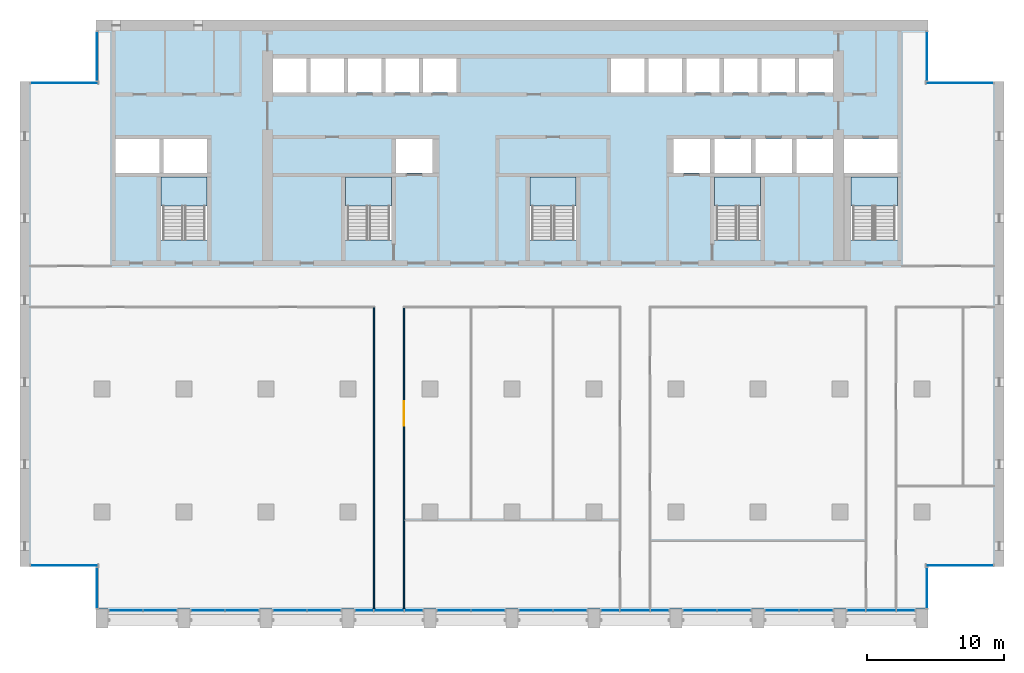
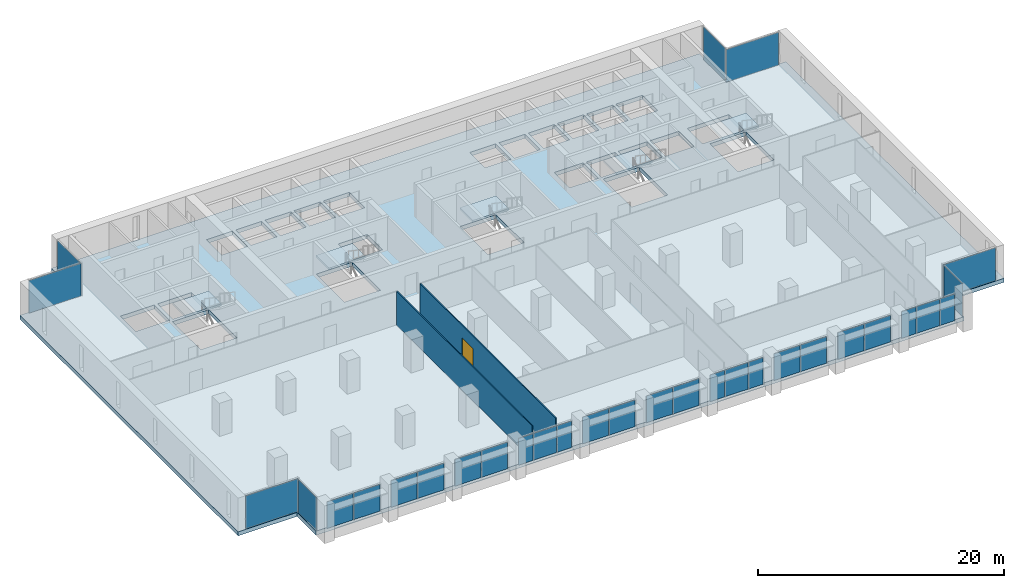
# One storey, part 7 of 15: 31 plates, 6 slabs, 2 walls, 1 door, 1 opening, 23 elements without a shape of their own.
"""IFC4 building model written with IfcOpenShell, lengths in metres."""

from ifc_helpers import new_model, si_unit, direction, frame, frame_2d, origin, origin_2d, place, context, subcontext, project, spatial, polyline, rectangle, outline, extrude, material, layer, layer_set, type_object, element, fill, aggregate, save


model = new_model("IFC4")

# Units and contexts
model_context = context("Model", 3, precision=1e-05, world=origin(), true_north=direction((0.0, 1.0)))
body_context = subcontext(model_context, "Body", "Model", "MODEL_VIEW")
ifc_project = project(units=[si_unit("LENGTHUNIT", "METRE"), si_unit("AREAUNIT", "SQUARE_METRE"), si_unit("VOLUMEUNIT", "CUBIC_METRE"), si_unit("PLANEANGLEUNIT", "RADIAN"), si_unit("MASSUNIT", "GRAM", prefix="KILO")], contexts=[model_context])

# Site, building, storey
site_placement = place(None, origin())
site = spatial("IfcSite", under=ifc_project, at=site_placement, CompositionType="ELEMENT")
building_placement = place(site_placement, origin())
building = spatial("IfcBuilding", under=site, at=building_placement, Name="Calvaro Tower", CompositionType="ELEMENT")
storey_placement = place(building_placement, frame((0.0, 0.0, 151.25)))
storey = spatial("IfcBuildingStorey", under=building, at=storey_placement, Name="L38", CompositionType="ELEMENT", Elevation=151.25)

# Slab
ifc_material_1 = material(Name="Concrete C40/50", Category="concrete")
ifc_layer_1 = layer(ifc_material_1, 0.39990234375)
ifc_layer_set_1 = layer_set([ifc_layer_1], Name="Concrete C40/50")
slab_type_1 = type_object("IfcSlabType", Name="Floor slab 400 C40/50", PredefinedType="FLOOR", material=ifc_layer_set_1)
slab_1_placement = place(storey_placement, frame((0.0, 0.0, -0.39990234375)))
element("IfcSlab", 1, at=slab_1_placement, inside=storey, type_object=slab_type_1, Name="Floor slab", PredefinedType="FLOOR", context=body_context, shape_type="SweptSolid", body=[
    extrude(outline(polyline([(66.449951171875, 6.0), (66.449951171875, 2.89990234375), (5.550048828125, 2.89990234375), (5.550048828125, 6.0), (0.0, 6.0), (0.0, 41.5), (5.550048828125, 41.5), (5.550048828125, 46.0), (66.449951171875, 46.0), (66.449951171875, 41.5), (72.0, 41.5), (72.0, 6.0), (66.449951171875, 6.0)]), holes=[polyline([(10.300048828125, 29.909912109375), (10.300048828125, 34.5), (12.0, 34.5), (13.699951171875, 34.5), (13.699951171875, 29.909912109375), (12.0, 29.909912109375), (10.300048828125, 29.909912109375)]), polyline([(23.800048828125, 29.909912109375), (23.800048828125, 34.5), (25.5, 34.5), (27.199951171875, 34.5), (27.199951171875, 29.909912109375), (25.5, 29.909912109375), (23.800048828125, 29.909912109375)]), polyline([(37.300048828125, 29.909912109375), (37.300048828125, 34.5), (39.0, 34.5), (40.699951171875, 34.5), (40.699951171875, 29.909912109375), (39.0, 29.909912109375), (37.300048828125, 29.909912109375)]), polyline([(50.800048828125, 29.909912109375), (50.800048828125, 34.5), (52.5, 34.5), (54.199951171875, 34.5), (54.199951171875, 29.909912109375), (52.5, 29.909912109375), (50.800048828125, 29.909912109375)]), polyline([(60.800048828125, 29.909912109375), (60.800048828125, 34.5), (62.5, 34.5), (64.199951171875, 34.5), (64.199951171875, 29.909912109375), (62.5, 29.909912109375), (60.800048828125, 29.909912109375)]), polyline([(50.800048828125, 34.800048828125), (53.5, 34.800048828125), (53.5, 37.300048828125), (50.800048828125, 37.300048828125), (50.800048828125, 34.800048828125)]), polyline([(53.800048828125, 34.800048828125), (56.5, 34.800048828125), (56.5, 37.300048828125), (53.800048828125, 37.300048828125), (53.800048828125, 34.800048828125)]), polyline([(56.800048828125, 34.800048828125), (59.5, 34.800048828125), (59.5, 37.300048828125), (56.800048828125, 37.300048828125), (56.800048828125, 34.800048828125)]), polyline([(18.5, 40.699951171875), (20.949951171875, 40.699951171875), (20.949951171875, 43.199951171875), (18.5, 43.199951171875), (18.5, 40.699951171875)]), polyline([(21.25, 40.699951171875), (23.699951171875, 40.699951171875), (23.699951171875, 43.199951171875), (21.25, 43.199951171875), (21.25, 40.699951171875)]), polyline([(24.0, 40.699951171875), (26.449951171875, 40.699951171875), (26.449951171875, 43.199951171875), (24.0, 43.199951171875), (24.0, 40.699951171875)]), polyline([(26.75, 40.699951171875), (29.199951171875, 40.699951171875), (29.199951171875, 43.199951171875), (26.75, 43.199951171875), (26.75, 40.699951171875)]), polyline([(29.5, 40.699951171875), (31.949951171875, 40.699951171875), (31.949951171875, 43.199951171875), (29.5, 43.199951171875), (29.5, 40.699951171875)]), polyline([(43.25, 40.699951171875), (45.699951171875, 40.699951171875), (45.699951171875, 43.199951171875), (43.25, 43.199951171875), (43.25, 40.699951171875)]), polyline([(46.0, 40.699951171875), (48.449951171875, 40.699951171875), (48.449951171875, 43.199951171875), (46.0, 43.199951171875), (46.0, 40.699951171875)]), polyline([(48.75, 40.699951171875), (51.199951171875, 40.699951171875), (51.199951171875, 43.199951171875), (48.75, 43.199951171875), (48.75, 40.699951171875)]), polyline([(51.5, 40.699951171875), (53.949951171875, 40.699951171875), (53.949951171875, 43.199951171875), (51.5, 43.199951171875), (51.5, 40.699951171875)]), polyline([(54.25, 40.699951171875), (56.699951171875, 40.699951171875), (56.699951171875, 43.199951171875), (54.25, 43.199951171875), (54.25, 40.699951171875)]), polyline([(57.0, 40.699951171875), (59.5, 40.699951171875), (59.5, 43.199951171875), (57.0, 43.199951171875), (57.0, 40.699951171875)]), polyline([(7.0, 34.800048828125), (10.199951171875, 34.800048828125), (10.199951171875, 37.300048828125), (7.0, 37.300048828125), (7.0, 34.800048828125)]), polyline([(10.5, 34.800048828125), (13.699951171875, 34.800048828125), (13.699951171875, 37.300048828125), (10.5, 37.300048828125), (10.5, 34.800048828125)]), polyline([(60.300048828125, 34.800048828125), (64.199951171875, 34.800048828125), (64.199951171875, 37.300048828125), (60.300048828125, 37.300048828125), (60.300048828125, 34.800048828125)]), polyline([(27.5, 34.800048828125), (30.199951171875, 34.800048828125), (30.199951171875, 37.300048828125), (27.5, 37.300048828125), (27.5, 34.800048828125)]), polyline([(47.800048828125, 34.800048828125), (50.5, 34.800048828125), (50.5, 37.300048828125), (47.800048828125, 37.300048828125), (47.800048828125, 34.800048828125)])]), origin(), (0.0, 0.0, 1.0), 0.39990234375),
])

# Curtain wall, plates
ifc_material_2 = material(Name="Anodised aluminium", Category="aluminium")
curtain_wall_type = type_object("IfcCurtainWallType", Name="Office curtain wall, middle zone", PredefinedType="NOTDEFINED", material=ifc_material_2)
curtain_wall_1_placement = place(storey_placement, origin())
curtain_wall_1 = element("IfcCurtainWall", 2, at=curtain_wall_1_placement, inside=storey, type_object=curtain_wall_type, Name="CW2 south curtain wall", PredefinedType="NOTDEFINED")
ifc_material_3 = material(Name="Glass", Category="glass")
ifc_layer_2 = layer(ifc_material_3, 0.031982421875)
ifc_layer_set_2 = layer_set([ifc_layer_2], Name="Glass")
plate_type = type_object("IfcPlateType", Name="Glass panel S2 32", PredefinedType="CURTAIN_PANEL", material=ifc_layer_set_2)
plate_1_placement = place(storey_placement, frame((7.742431640625, 2.800048828125, 0.0), z_axis=(0.0, 0.0, 1.0), x_axis=(1.0, 0.0, 0.0)))
plate_1 = element("IfcPlate", 3, at=plate_1_placement, type_object=plate_type, Name="CW2 glass panel 1.1", PredefinedType="CURTAIN_PANEL", context=body_context, shape_type="SweptSolid", body=[
    extrude(rectangle(XDim=2.445068359375, YDim=0.031982421875, at=origin_2d()), origin(), (0.0, 0.0, 1.0), 2.64990234375),
])
plate_2_placement = place(storey_placement, frame((10.257568359375, 2.800048828125, 0.0), z_axis=(0.0, 0.0, 1.0), x_axis=(1.0, 0.0, 0.0)))
plate_2 = element("IfcPlate", 4, at=plate_2_placement, type_object=plate_type, Name="CW2 glass panel 2.1", PredefinedType="CURTAIN_PANEL", context=body_context, shape_type="SweptSolid", body=[
    extrude(rectangle(XDim=2.445068359375, YDim=0.031982421875, at=origin_2d()), origin(), (0.0, 0.0, 1.0), 2.64990234375),
])
aggregate(curtain_wall_1, [plate_1, plate_2])

curtain_wall_2_placement = place(storey_placement, origin())
curtain_wall_2 = element("IfcCurtainWall", 5, at=curtain_wall_2_placement, inside=storey, type_object=curtain_wall_type, Name="CW2 south curtain wall", PredefinedType="NOTDEFINED")
plate_3_placement = place(storey_placement, frame((13.742431640625, 2.800048828125, 0.0), z_axis=(0.0, 0.0, 1.0), x_axis=(1.0, 0.0, 0.0)))
plate_3 = element("IfcPlate", 6, at=plate_3_placement, type_object=plate_type, Name="CW2 glass panel 1.1", PredefinedType="CURTAIN_PANEL", context=body_context, shape_type="SweptSolid", body=[
    extrude(rectangle(XDim=2.445068359375, YDim=0.031982421875, at=origin_2d()), origin(), (0.0, 0.0, 1.0), 2.64990234375),
])
plate_4_placement = place(storey_placement, frame((16.257568359375, 2.800048828125, 0.0), z_axis=(0.0, 0.0, 1.0), x_axis=(1.0, 0.0, 0.0)))
plate_4 = element("IfcPlate", 7, at=plate_4_placement, type_object=plate_type, Name="CW2 glass panel 2.1", PredefinedType="CURTAIN_PANEL", context=body_context, shape_type="SweptSolid", body=[
    extrude(rectangle(XDim=2.445068359375, YDim=0.031982421875, at=origin_2d()), origin(), (0.0, 0.0, 1.0), 2.64990234375),
])
aggregate(curtain_wall_2, [plate_3, plate_4])

curtain_wall_3_placement = place(storey_placement, origin())
curtain_wall_3 = element("IfcCurtainWall", 8, at=curtain_wall_3_placement, inside=storey, type_object=curtain_wall_type, Name="CW2 south curtain wall", PredefinedType="NOTDEFINED")
plate_5_placement = place(storey_placement, frame((19.742431640625, 2.800048828125, 0.0), z_axis=(0.0, 0.0, 1.0), x_axis=(1.0, 0.0, 0.0)))
plate_5 = element("IfcPlate", 9, at=plate_5_placement, type_object=plate_type, Name="CW2 glass panel 1.1", PredefinedType="CURTAIN_PANEL", context=body_context, shape_type="SweptSolid", body=[
    extrude(rectangle(XDim=2.445068359375, YDim=0.031982421875, at=origin_2d()), origin(), (0.0, 0.0, 1.0), 2.64990234375),
])
plate_6_placement = place(storey_placement, frame((22.257568359375, 2.800048828125, 0.0), z_axis=(0.0, 0.0, 1.0), x_axis=(1.0, 0.0, 0.0)))
plate_6 = element("IfcPlate", 10, at=plate_6_placement, type_object=plate_type, Name="CW2 glass panel 2.1", PredefinedType="CURTAIN_PANEL", context=body_context, shape_type="SweptSolid", body=[
    extrude(rectangle(XDim=2.445068359375, YDim=0.031982421875, at=origin_2d()), origin(), (0.0, 0.0, 1.0), 2.64990234375),
])
aggregate(curtain_wall_3, [plate_5, plate_6])

curtain_wall_4_placement = place(storey_placement, origin())
curtain_wall_4 = element("IfcCurtainWall", 11, at=curtain_wall_4_placement, inside=storey, type_object=curtain_wall_type, Name="CW2 south curtain wall", PredefinedType="NOTDEFINED")
plate_7_placement = place(storey_placement, frame((25.1923828125, 2.800048828125, 0.0), z_axis=(0.0, 0.0, 1.0), x_axis=(1.0, 0.0, 0.0)))
plate_7 = element("IfcPlate", 12, at=plate_7_placement, type_object=plate_type, Name="CW2 glass panel 1.1", PredefinedType="CURTAIN_PANEL", context=body_context, shape_type="SweptSolid", body=[
    extrude(rectangle(XDim=1.344970703125, YDim=0.031982421875, at=origin_2d()), origin(), (0.0, 0.0, 1.0), 2.64990234375),
])
plate_8_placement = place(storey_placement, frame((27.0, 2.800048828125, 0.0), z_axis=(0.0, 0.0, 1.0), x_axis=(1.0, 0.0, 0.0)))
plate_8 = element("IfcPlate", 13, at=plate_8_placement, type_object=plate_type, Name="CW2 glass panel 2.1", PredefinedType="CURTAIN_PANEL", context=body_context, shape_type="SweptSolid", body=[
    extrude(rectangle(XDim=2.1298828125, YDim=0.031982421875, at=origin_2d()), origin(), (0.0, 0.0, 1.0), 2.64990234375),
])
plate_9_placement = place(storey_placement, frame((28.8076171875, 2.800048828125, 0.0), z_axis=(0.0, 0.0, 1.0), x_axis=(1.0, 0.0, 0.0)))
plate_9 = element("IfcPlate", 14, at=plate_9_placement, type_object=plate_type, Name="CW2 glass panel 3.1", PredefinedType="CURTAIN_PANEL", context=body_context, shape_type="SweptSolid", body=[
    extrude(rectangle(XDim=1.344970703125, YDim=0.031982421875, at=origin_2d()), origin(), (0.0, 0.0, 1.0), 2.64990234375),
])
aggregate(curtain_wall_4, [plate_7, plate_8, plate_9])

curtain_wall_5_placement = place(storey_placement, origin())
curtain_wall_5 = element("IfcCurtainWall", 15, at=curtain_wall_5_placement, inside=storey, type_object=curtain_wall_type, Name="CW2 south curtain wall", PredefinedType="NOTDEFINED")
plate_10_placement = place(storey_placement, frame((31.742431640625, 2.800048828125, 0.0), z_axis=(0.0, 0.0, 1.0), x_axis=(1.0, 0.0, 0.0)))
plate_10 = element("IfcPlate", 16, at=plate_10_placement, type_object=plate_type, Name="CW2 glass panel 1.1", PredefinedType="CURTAIN_PANEL", context=body_context, shape_type="SweptSolid", body=[
    extrude(rectangle(XDim=2.445068359375, YDim=0.031982421875, at=origin_2d()), origin(), (0.0, 0.0, 1.0), 2.64990234375),
])
plate_11_placement = place(storey_placement, frame((34.257568359375, 2.800048828125, 0.0), z_axis=(0.0, 0.0, 1.0), x_axis=(1.0, 0.0, 0.0)))
plate_11 = element("IfcPlate", 17, at=plate_11_placement, type_object=plate_type, Name="CW2 glass panel 2.1", PredefinedType="CURTAIN_PANEL", context=body_context, shape_type="SweptSolid", body=[
    extrude(rectangle(XDim=2.445068359375, YDim=0.031982421875, at=origin_2d()), origin(), (0.0, 0.0, 1.0), 2.64990234375),
])
aggregate(curtain_wall_5, [plate_10, plate_11])

curtain_wall_6_placement = place(storey_placement, origin())
curtain_wall_6 = element("IfcCurtainWall", 18, at=curtain_wall_6_placement, inside=storey, type_object=curtain_wall_type, Name="CW2 south curtain wall", PredefinedType="NOTDEFINED")
plate_12_placement = place(storey_placement, frame((37.742431640625, 2.800048828125, 0.0), z_axis=(0.0, 0.0, 1.0), x_axis=(1.0, 0.0, 0.0)))
plate_12 = element("IfcPlate", 19, at=plate_12_placement, type_object=plate_type, Name="CW2 glass panel 1.1", PredefinedType="CURTAIN_PANEL", context=body_context, shape_type="SweptSolid", body=[
    extrude(rectangle(XDim=2.445068359375, YDim=0.031982421875, at=origin_2d()), origin(), (0.0, 0.0, 1.0), 2.64990234375),
])
plate_13_placement = place(storey_placement, frame((40.257568359375, 2.800048828125, 0.0), z_axis=(0.0, 0.0, 1.0), x_axis=(1.0, 0.0, 0.0)))
plate_13 = element("IfcPlate", 20, at=plate_13_placement, type_object=plate_type, Name="CW2 glass panel 2.1", PredefinedType="CURTAIN_PANEL", context=body_context, shape_type="SweptSolid", body=[
    extrude(rectangle(XDim=2.445068359375, YDim=0.031982421875, at=origin_2d()), origin(), (0.0, 0.0, 1.0), 2.64990234375),
])
aggregate(curtain_wall_6, [plate_12, plate_13])

curtain_wall_7_placement = place(storey_placement, origin())
curtain_wall_7 = element("IfcCurtainWall", 21, at=curtain_wall_7_placement, inside=storey, type_object=curtain_wall_type, Name="CW2 south curtain wall", PredefinedType="NOTDEFINED")
plate_14_placement = place(storey_placement, frame((43.1923828125, 2.800048828125, 0.0), z_axis=(0.0, 0.0, 1.0), x_axis=(1.0, 0.0, 0.0)))
plate_14 = element("IfcPlate", 22, at=plate_14_placement, type_object=plate_type, Name="CW2 glass panel 1.1", PredefinedType="CURTAIN_PANEL", context=body_context, shape_type="SweptSolid", body=[
    extrude(rectangle(XDim=1.344970703125, YDim=0.031982421875, at=origin_2d()), origin(), (0.0, 0.0, 1.0), 2.64990234375),
])
plate_15_placement = place(storey_placement, frame((45.0, 2.800048828125, 0.0), z_axis=(0.0, 0.0, 1.0), x_axis=(1.0, 0.0, 0.0)))
plate_15 = element("IfcPlate", 23, at=plate_15_placement, type_object=plate_type, Name="CW2 glass panel 2.1", PredefinedType="CURTAIN_PANEL", context=body_context, shape_type="SweptSolid", body=[
    extrude(rectangle(XDim=2.1298828125, YDim=0.031982421875, at=origin_2d()), origin(), (0.0, 0.0, 1.0), 2.64990234375),
])
plate_16_placement = place(storey_placement, frame((46.8076171875, 2.800048828125, 0.0), z_axis=(0.0, 0.0, 1.0), x_axis=(1.0, 0.0, 0.0)))
plate_16 = element("IfcPlate", 24, at=plate_16_placement, type_object=plate_type, Name="CW2 glass panel 3.1", PredefinedType="CURTAIN_PANEL", context=body_context, shape_type="SweptSolid", body=[
    extrude(rectangle(XDim=1.344970703125, YDim=0.031982421875, at=origin_2d()), origin(), (0.0, 0.0, 1.0), 2.64990234375),
])
aggregate(curtain_wall_7, [plate_14, plate_15, plate_16])

curtain_wall_8_placement = place(storey_placement, origin())
curtain_wall_8 = element("IfcCurtainWall", 25, at=curtain_wall_8_placement, inside=storey, type_object=curtain_wall_type, Name="CW2 south curtain wall", PredefinedType="NOTDEFINED")
plate_17_placement = place(storey_placement, frame((49.742431640625, 2.800048828125, 0.0), z_axis=(0.0, 0.0, 1.0), x_axis=(1.0, 0.0, 0.0)))
plate_17 = element("IfcPlate", 26, at=plate_17_placement, type_object=plate_type, Name="CW2 glass panel 1.1", PredefinedType="CURTAIN_PANEL", context=body_context, shape_type="SweptSolid", body=[
    extrude(rectangle(XDim=2.445068359375, YDim=0.031982421875, at=origin_2d()), origin(), (0.0, 0.0, 1.0), 2.64990234375),
])
plate_18_placement = place(storey_placement, frame((52.257568359375, 2.800048828125, 0.0), z_axis=(0.0, 0.0, 1.0), x_axis=(1.0, 0.0, 0.0)))
plate_18 = element("IfcPlate", 27, at=plate_18_placement, type_object=plate_type, Name="CW2 glass panel 2.1", PredefinedType="CURTAIN_PANEL", context=body_context, shape_type="SweptSolid", body=[
    extrude(rectangle(XDim=2.445068359375, YDim=0.031982421875, at=origin_2d()), origin(), (0.0, 0.0, 1.0), 2.64990234375),
])
aggregate(curtain_wall_8, [plate_17, plate_18])

curtain_wall_9_placement = place(storey_placement, origin())
curtain_wall_9 = element("IfcCurtainWall", 28, at=curtain_wall_9_placement, inside=storey, type_object=curtain_wall_type, Name="CW2 south curtain wall", PredefinedType="NOTDEFINED")
plate_19_placement = place(storey_placement, frame((55.742431640625, 2.800048828125, 0.0), z_axis=(0.0, 0.0, 1.0), x_axis=(1.0, 0.0, 0.0)))
plate_19 = element("IfcPlate", 29, at=plate_19_placement, type_object=plate_type, Name="CW2 glass panel 1.1", PredefinedType="CURTAIN_PANEL", context=body_context, shape_type="SweptSolid", body=[
    extrude(rectangle(XDim=2.445068359375, YDim=0.031982421875, at=origin_2d()), origin(), (0.0, 0.0, 1.0), 2.64990234375),
])
plate_20_placement = place(storey_placement, frame((58.257568359375, 2.800048828125, 0.0), z_axis=(0.0, 0.0, 1.0), x_axis=(1.0, 0.0, 0.0)))
plate_20 = element("IfcPlate", 30, at=plate_20_placement, type_object=plate_type, Name="CW2 glass panel 2.1", PredefinedType="CURTAIN_PANEL", context=body_context, shape_type="SweptSolid", body=[
    extrude(rectangle(XDim=2.445068359375, YDim=0.031982421875, at=origin_2d()), origin(), (0.0, 0.0, 1.0), 2.64990234375),
])
aggregate(curtain_wall_9, [plate_19, plate_20])

curtain_wall_10_placement = place(storey_placement, origin())
curtain_wall_10 = element("IfcCurtainWall", 31, at=curtain_wall_10_placement, inside=storey, type_object=curtain_wall_type, Name="CW2 south curtain wall", PredefinedType="NOTDEFINED")
plate_21_placement = place(storey_placement, frame((61.1923828125, 2.800048828125, 0.0), z_axis=(0.0, 0.0, 1.0), x_axis=(1.0, 0.0, 0.0)))
plate_21 = element("IfcPlate", 32, at=plate_21_placement, type_object=plate_type, Name="CW2 glass panel 1.1", PredefinedType="CURTAIN_PANEL", context=body_context, shape_type="SweptSolid", body=[
    extrude(rectangle(XDim=1.344970703125, YDim=0.031982421875, at=origin_2d()), origin(), (0.0, 0.0, 1.0), 2.64990234375),
])
plate_22_placement = place(storey_placement, frame((63.0, 2.800048828125, 0.0), z_axis=(0.0, 0.0, 1.0), x_axis=(1.0, 0.0, 0.0)))
plate_22 = element("IfcPlate", 33, at=plate_22_placement, type_object=plate_type, Name="CW2 glass panel 2.1", PredefinedType="CURTAIN_PANEL", context=body_context, shape_type="SweptSolid", body=[
    extrude(rectangle(XDim=2.1298828125, YDim=0.031982421875, at=origin_2d()), origin(), (0.0, 0.0, 1.0), 2.64990234375),
])
plate_23_placement = place(storey_placement, frame((64.8076171875, 2.800048828125, 0.0), z_axis=(0.0, 0.0, 1.0), x_axis=(1.0, 0.0, 0.0)))
plate_23 = element("IfcPlate", 34, at=plate_23_placement, type_object=plate_type, Name="CW2 glass panel 3.1", PredefinedType="CURTAIN_PANEL", context=body_context, shape_type="SweptSolid", body=[
    extrude(rectangle(XDim=1.344970703125, YDim=0.031982421875, at=origin_2d()), origin(), (0.0, 0.0, 1.0), 2.64990234375),
])
aggregate(curtain_wall_10, [plate_21, plate_22, plate_23])

# Curtain wall, plate
curtain_wall_11_placement = place(storey_placement, origin())
curtain_wall_11 = element("IfcCurtainWall", 35, at=curtain_wall_11_placement, inside=storey, type_object=curtain_wall_type, Name="CW2 corner curtain wall", PredefinedType="NOTDEFINED")
plate_24_placement = place(storey_placement, frame((5.64990234375, 4.449951171875, 0.0), z_axis=(0.0, 0.0, 1.0), x_axis=(0.0, 1.0, 0.0)))
plate_24 = element("IfcPlate", 36, at=plate_24_placement, type_object=plate_type, Name="CW2 glass panel 1.1", PredefinedType="CURTAIN_PANEL", context=body_context, shape_type="SweptSolid", body=[
    extrude(rectangle(XDim=2.9599609375, YDim=0.031982421875, at=origin_2d()), origin(), (0.0, 0.0, 1.0), 3.25),
])
aggregate(curtain_wall_11, [plate_24])

curtain_wall_12_placement = place(storey_placement, origin())
curtain_wall_12 = element("IfcCurtainWall", 37, at=curtain_wall_12_placement, inside=storey, type_object=curtain_wall_type, Name="CW2 corner curtain wall", PredefinedType="NOTDEFINED")
plate_25_placement = place(storey_placement, frame((3.22509765625, 6.10009765625, 0.0), z_axis=(0.0, 0.0, 1.0), x_axis=(1.0, 0.0, 0.0)))
plate_25 = element("IfcPlate", 38, at=plate_25_placement, type_object=plate_type, Name="CW2 glass panel 1.1", PredefinedType="CURTAIN_PANEL", context=body_context, shape_type="SweptSolid", body=[
    extrude(rectangle(XDim=4.909912109375, YDim=0.031982421875, at=origin_2d()), origin(), (0.0, 0.0, 1.0), 3.25),
])
aggregate(curtain_wall_12, [plate_25])

curtain_wall_13_placement = place(storey_placement, origin())
curtain_wall_13 = element("IfcCurtainWall", 39, at=curtain_wall_13_placement, inside=storey, type_object=curtain_wall_type, Name="CW2 corner curtain wall", PredefinedType="NOTDEFINED")
plate_26_placement = place(storey_placement, frame((5.64990234375, 43.35009765625, 0.0), z_axis=(0.0, 0.0, 1.0), x_axis=(0.0, 1.0, 0.0)))
plate_26 = element("IfcPlate", 40, at=plate_26_placement, type_object=plate_type, Name="CW2 glass panel 1.1", PredefinedType="CURTAIN_PANEL", context=body_context, shape_type="SweptSolid", body=[
    extrude(rectangle(XDim=3.56005859375, YDim=0.031982421875, at=origin_2d()), origin(), (0.0, 0.0, 1.0), 3.25),
])
aggregate(curtain_wall_13, [plate_26])

curtain_wall_14_placement = place(storey_placement, origin())
curtain_wall_14 = element("IfcCurtainWall", 41, at=curtain_wall_14_placement, inside=storey, type_object=curtain_wall_type, Name="CW2 corner curtain wall", PredefinedType="NOTDEFINED")
plate_27_placement = place(storey_placement, frame((3.22509765625, 41.39990234375, 0.0), z_axis=(0.0, 0.0, 1.0), x_axis=(1.0, 0.0, 0.0)))
plate_27 = element("IfcPlate", 42, at=plate_27_placement, type_object=plate_type, Name="CW2 glass panel 1.1", PredefinedType="CURTAIN_PANEL", context=body_context, shape_type="SweptSolid", body=[
    extrude(rectangle(XDim=4.909912109375, YDim=0.031982421875, at=origin_2d()), origin(), (0.0, 0.0, 1.0), 3.25),
])
aggregate(curtain_wall_14, [plate_27])

curtain_wall_15_placement = place(storey_placement, origin())
curtain_wall_15 = element("IfcCurtainWall", 43, at=curtain_wall_15_placement, inside=storey, type_object=curtain_wall_type, Name="CW2 corner curtain wall", PredefinedType="NOTDEFINED")
plate_28_placement = place(storey_placement, frame((66.35009765625, 4.449951171875, 0.0), z_axis=(0.0, 0.0, 1.0), x_axis=(0.0, 1.0, 0.0)))
plate_28 = element("IfcPlate", 44, at=plate_28_placement, type_object=plate_type, Name="CW2 glass panel 1.1", PredefinedType="CURTAIN_PANEL", context=body_context, shape_type="SweptSolid", body=[
    extrude(rectangle(XDim=2.9599609375, YDim=0.031982421875, at=origin_2d()), origin(), (0.0, 0.0, 1.0), 3.25),
])
aggregate(curtain_wall_15, [plate_28])

curtain_wall_16_placement = place(storey_placement, origin())
curtain_wall_16 = element("IfcCurtainWall", 45, at=curtain_wall_16_placement, inside=storey, type_object=curtain_wall_type, Name="CW2 corner curtain wall", PredefinedType="NOTDEFINED")
plate_29_placement = place(storey_placement, frame((68.77490234375, 6.10009765625, 0.0), z_axis=(0.0, 0.0, 1.0), x_axis=(1.0, 0.0, 0.0)))
plate_29 = element("IfcPlate", 46, at=plate_29_placement, type_object=plate_type, Name="CW2 glass panel 1.1", PredefinedType="CURTAIN_PANEL", context=body_context, shape_type="SweptSolid", body=[
    extrude(rectangle(XDim=4.909912109375, YDim=0.031982421875, at=origin_2d()), origin(), (0.0, 0.0, 1.0), 3.25),
])
aggregate(curtain_wall_16, [plate_29])

curtain_wall_17_placement = place(storey_placement, origin())
curtain_wall_17 = element("IfcCurtainWall", 47, at=curtain_wall_17_placement, inside=storey, type_object=curtain_wall_type, Name="CW2 corner curtain wall", PredefinedType="NOTDEFINED")
plate_30_placement = place(storey_placement, frame((66.35009765625, 43.35009765625, 0.0), z_axis=(0.0, 0.0, 1.0), x_axis=(0.0, 1.0, 0.0)))
plate_30 = element("IfcPlate", 48, at=plate_30_placement, type_object=plate_type, Name="CW2 glass panel 1.1", PredefinedType="CURTAIN_PANEL", context=body_context, shape_type="SweptSolid", body=[
    extrude(rectangle(XDim=3.56005859375, YDim=0.031982421875, at=origin_2d()), origin(), (0.0, 0.0, 1.0), 3.25),
])
aggregate(curtain_wall_17, [plate_30])

curtain_wall_18_placement = place(storey_placement, origin())
curtain_wall_18 = element("IfcCurtainWall", 49, at=curtain_wall_18_placement, inside=storey, type_object=curtain_wall_type, Name="CW2 corner curtain wall", PredefinedType="NOTDEFINED")
plate_31_placement = place(storey_placement, frame((68.77490234375, 41.39990234375, 0.0), z_axis=(0.0, 0.0, 1.0), x_axis=(1.0, 0.0, 0.0)))
plate_31 = element("IfcPlate", 50, at=plate_31_placement, type_object=plate_type, Name="CW2 glass panel 1.1", PredefinedType="CURTAIN_PANEL", context=body_context, shape_type="SweptSolid", body=[
    extrude(rectangle(XDim=4.909912109375, YDim=0.031982421875, at=origin_2d()), origin(), (0.0, 0.0, 1.0), 3.25),
])
aggregate(curtain_wall_18, [plate_31])

# Stair, slab
ifc_material_4 = material(Name="Concrete C40/50", Category="concrete")
stair_type = type_object("IfcStairType", Name="Exit stair 1400 2 flights", PredefinedType="HALF_TURN_STAIR", material=ifc_material_4)
stair_1_placement = place(storey_placement, origin())
stair_1 = element("IfcStair", 51, at=stair_1_placement, inside=storey, type_object=stair_type, Name="Exit stair S1", PredefinedType="HALF_TURN_STAIR")
ifc_material_5 = material(Name="Concrete C40/50", Category="concrete")
ifc_layer_3 = layer(ifc_material_5, 0.199951171875)
ifc_layer_set_3 = layer_set([ifc_layer_3], Name="Concrete C40/50")
slab_type_2 = type_object("IfcSlabType", Name="Stair landing", PredefinedType="LANDING", material=ifc_layer_set_3)
slab_2_placement = place(storey_placement, frame((0.0, 0.0, 1.675048828125)))
slab_2 = element("IfcSlab", 52, at=slab_2_placement, type_object=slab_type_2, Name="Exit stair 1, landing 1", PredefinedType="LANDING", context=body_context, shape_type="SweptSolid", body=[
    extrude(outline(polyline([(11.89990234375, 32.389892578125), (10.5, 32.389892578125), (10.5, 32.39990234375), (10.300048828125, 32.39990234375), (10.300048828125, 34.5), (10.5, 34.5), (11.89990234375, 34.5), (12.10009765625, 34.5), (13.5, 34.5), (13.699951171875, 34.5), (13.699951171875, 32.39990234375), (13.5, 32.39990234375), (13.5, 32.389892578125), (12.10009765625, 32.389892578125), (12.10009765625, 32.39990234375), (11.89990234375, 32.39990234375), (11.89990234375, 32.389892578125)])), origin(), (0.0, 0.0, 1.0), 0.199951171875),
])
aggregate(stair_1, [slab_2])

stair_2_placement = place(storey_placement, origin())
stair_2 = element("IfcStair", 53, at=stair_2_placement, inside=storey, type_object=stair_type, Name="Exit stair S2", PredefinedType="HALF_TURN_STAIR")
slab_3_placement = place(storey_placement, frame((0.0, 0.0, 1.675048828125)))
slab_3 = element("IfcSlab", 54, at=slab_3_placement, type_object=slab_type_2, Name="Exit stair 2, landing 1", PredefinedType="LANDING", context=body_context, shape_type="SweptSolid", body=[
    extrude(outline(polyline([(25.39990234375, 32.389892578125), (24.0, 32.389892578125), (24.0, 32.39990234375), (23.800048828125, 32.39990234375), (23.800048828125, 34.5), (24.0, 34.5), (25.39990234375, 34.5), (25.60009765625, 34.5), (27.0, 34.5), (27.199951171875, 34.5), (27.199951171875, 32.39990234375), (27.0, 32.39990234375), (27.0, 32.389892578125), (25.60009765625, 32.389892578125), (25.60009765625, 32.39990234375), (25.39990234375, 32.39990234375), (25.39990234375, 32.389892578125)])), origin(), (0.0, 0.0, 1.0), 0.199951171875),
])
aggregate(stair_2, [slab_3])

stair_3_placement = place(storey_placement, origin())
stair_3 = element("IfcStair", 55, at=stair_3_placement, inside=storey, type_object=stair_type, Name="Exit stair S3", PredefinedType="HALF_TURN_STAIR")
slab_4_placement = place(storey_placement, frame((0.0, 0.0, 1.675048828125)))
slab_4 = element("IfcSlab", 56, at=slab_4_placement, type_object=slab_type_2, Name="Exit stair 3, landing 1", PredefinedType="LANDING", context=body_context, shape_type="SweptSolid", body=[
    extrude(outline(polyline([(38.89990234375, 32.389892578125), (37.5, 32.389892578125), (37.5, 32.39990234375), (37.300048828125, 32.39990234375), (37.300048828125, 34.5), (37.5, 34.5), (38.89990234375, 34.5), (39.10009765625, 34.5), (40.5, 34.5), (40.699951171875, 34.5), (40.699951171875, 32.39990234375), (40.5, 32.39990234375), (40.5, 32.389892578125), (39.10009765625, 32.389892578125), (39.10009765625, 32.39990234375), (38.89990234375, 32.39990234375), (38.89990234375, 32.389892578125)])), origin(), (0.0, 0.0, 1.0), 0.199951171875),
])
aggregate(stair_3, [slab_4])

stair_4_placement = place(storey_placement, origin())
stair_4 = element("IfcStair", 57, at=stair_4_placement, inside=storey, type_object=stair_type, Name="Exit stair S4", PredefinedType="HALF_TURN_STAIR")
slab_5_placement = place(storey_placement, frame((0.0, 0.0, 1.675048828125)))
slab_5 = element("IfcSlab", 58, at=slab_5_placement, type_object=slab_type_2, Name="Exit stair 4, landing 1", PredefinedType="LANDING", context=body_context, shape_type="SweptSolid", body=[
    extrude(outline(polyline([(52.39990234375, 32.389892578125), (51.0, 32.389892578125), (51.0, 32.39990234375), (50.800048828125, 32.39990234375), (50.800048828125, 34.5), (51.0, 34.5), (52.39990234375, 34.5), (52.60009765625, 34.5), (54.0, 34.5), (54.199951171875, 34.5), (54.199951171875, 32.39990234375), (54.0, 32.39990234375), (54.0, 32.389892578125), (52.60009765625, 32.389892578125), (52.60009765625, 32.39990234375), (52.39990234375, 32.39990234375), (52.39990234375, 32.389892578125)])), origin(), (0.0, 0.0, 1.0), 0.199951171875),
])
aggregate(stair_4, [slab_5])

stair_5_placement = place(storey_placement, origin())
stair_5 = element("IfcStair", 59, at=stair_5_placement, inside=storey, type_object=stair_type, Name="Exit stair S5", PredefinedType="HALF_TURN_STAIR")
slab_6_placement = place(storey_placement, frame((0.0, 0.0, 1.675048828125)))
slab_6 = element("IfcSlab", 60, at=slab_6_placement, type_object=slab_type_2, Name="Exit stair 5, landing 1", PredefinedType="LANDING", context=body_context, shape_type="SweptSolid", body=[
    extrude(outline(polyline([(62.39990234375, 32.389892578125), (61.0, 32.389892578125), (61.0, 32.39990234375), (60.800048828125, 32.39990234375), (60.800048828125, 34.5), (61.0, 34.5), (62.39990234375, 34.5), (62.60009765625, 34.5), (64.0, 34.5), (64.199951171875, 34.5), (64.199951171875, 32.39990234375), (64.0, 32.39990234375), (64.0, 32.389892578125), (62.60009765625, 32.389892578125), (62.60009765625, 32.39990234375), (62.39990234375, 32.39990234375), (62.39990234375, 32.389892578125)])), origin(), (0.0, 0.0, 1.0), 0.199951171875),
])
aggregate(stair_5, [slab_6])

# Wall
ifc_material_6 = material(Name="Plasterboard on steel studs", Category="steel")
ifc_layer_4 = layer(ifc_material_6, 0.10009765625)
ifc_layer_set_4 = layer_set([ifc_layer_4], Name="Plasterboard on steel studs")
wall_type = type_object("IfcWallType", Name="Partition 100", PredefinedType="PARTITIONING", material=ifc_layer_set_4)
wall_1_placement = place(storey_placement, frame((25.89990234375, 2.89990234375, 0.0), z_axis=(0.0, 0.0, 1.0), x_axis=(0.0, 1.0, 0.0)))
element("IfcWall", 61, at=wall_1_placement, inside=storey, type_object=wall_type, Name="Partition T23.W010", PredefinedType="PARTITIONING", context=body_context, shape_type="SweptSolid", body=[
    extrude(rectangle(XDim=22.050048828125, YDim=0.10009765625, at=frame_2d((11.02490234375, 0.0))), origin(), (0.0, 0.0, 1.0), 3.35009765625),
])

# Wall, opening, door
wall_2_placement = place(storey_placement, frame((28.10009765625, 2.89990234375, 0.0), z_axis=(0.0, 0.0, 1.0), x_axis=(0.0, 1.0, 0.0)))
wall_2 = element("IfcWall", 62, at=wall_2_placement, inside=storey, type_object=wall_type, Name="Partition T23.W011", PredefinedType="PARTITIONING", context=body_context, shape_type="SweptSolid", body=[
    extrude(rectangle(XDim=22.050048828125, YDim=0.10009765625, at=frame_2d((11.02490234375, 0.0))), origin(), (0.0, 0.0, 1.0), 3.35009765625),
])
opening_placement = place(wall_2_placement, frame((13.39990234375, 0.0, 0.0)))
opening = element("IfcOpeningElement", 63, at=opening_placement, cuts=wall_2, Name="Opening T23.008", PredefinedType="OPENING", context=body_context, shape_type="SweptSolid", body=[
    extrude(rectangle(XDim=1.800048828125, YDim=2.10009765625, at=frame_2d((0.89990234375, 1.050048828125))), frame((0.0, 0.06005859375, 0.0), z_axis=(0.0, -1.0, 0.0), x_axis=(1.0, 0.0, 0.0)), (0.0, 0.0, 1.0), 0.1201171875),
])
ifc_material_7 = material(Name="Timber", Category="wood")
door_type = type_object("IfcDoorType", Name="Internal double door 1800 x 2100", OperationType="DOUBLE_DOOR_SINGLE_SWING", PredefinedType="DOOR", material=ifc_material_7)
door_placement = place(opening_placement, origin())
door = element("IfcDoor", 64, at=door_placement, inside=storey, type_object=door_type, Name="Door T23.008", OperationType="DOUBLE_DOOR_SINGLE_SWING", OverallHeight=2.10009765625, OverallWidth=1.800048828125, PredefinedType="DOOR", context=body_context, shape_type="SweptSolid", body=[
    extrude(rectangle(XDim=1.800048828125, YDim=2.10009765625, at=frame_2d((0.89990234375, 1.050048828125))), frame((0.0, 0.02490234375, 0.0), z_axis=(0.0, -1.0, 0.0), x_axis=(1.0, 0.0, 0.0)), (0.0, 0.0, 1.0), 0.050048828125),
])
fill(opening, door)

save(model, "model.ifc")
